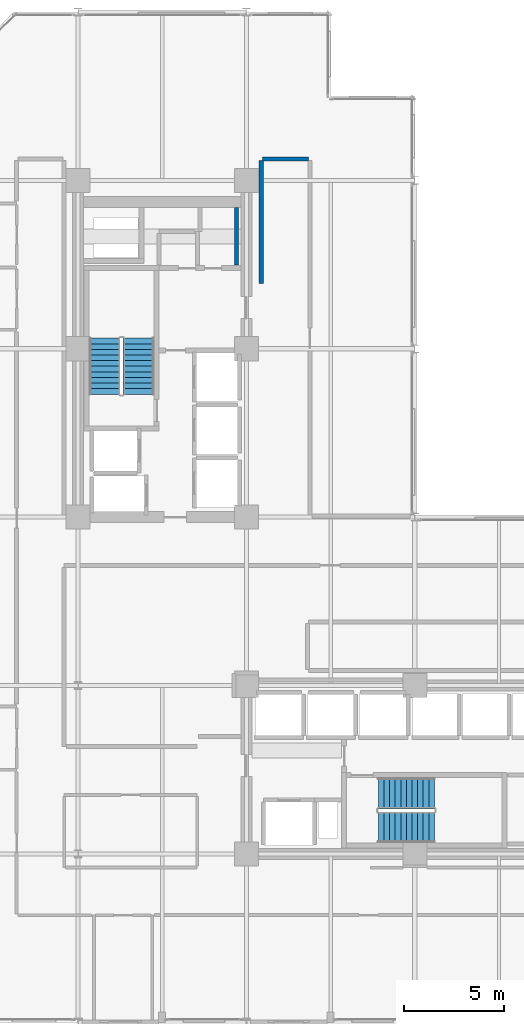
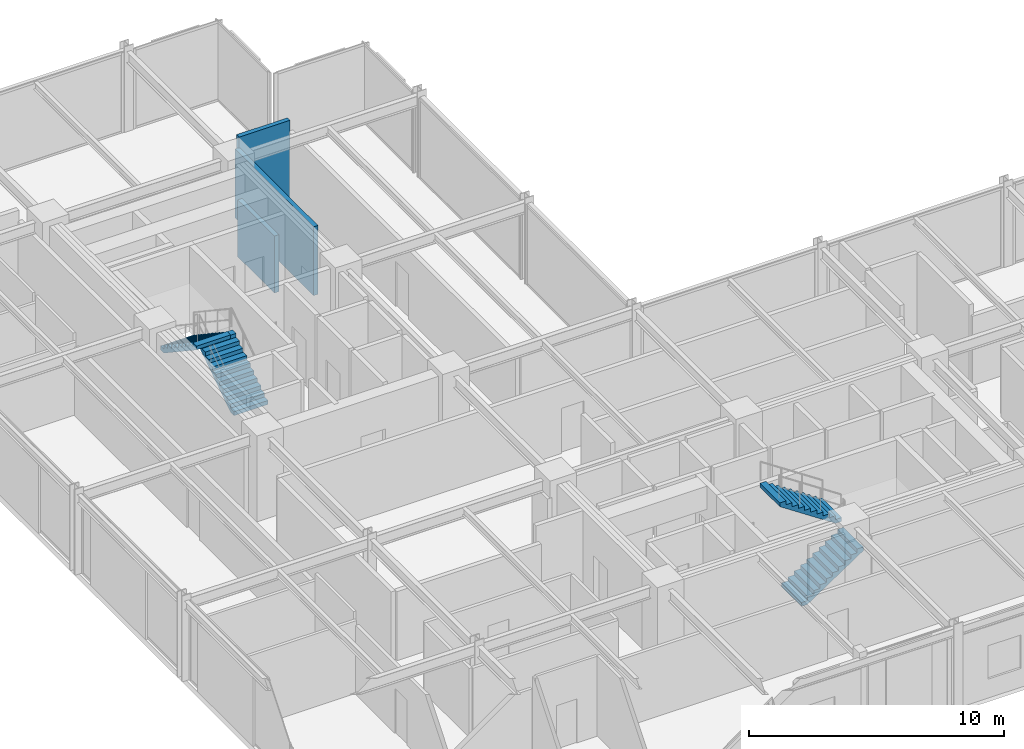
# One storey, part 35 of 38: 4 stair flights, 3 walls, 2 elements without a shape of their own.
"""IFC4 building model written with IfcOpenShell, lengths in metres."""

from ifc_helpers import new_model, si_unit, direction, frame, frame_2d, origin, place, context, subcontext, project, spatial, polyline, rectangle, outline, extrude, material, layer, layer_set, type_object, element, aggregate, save


model = new_model("IFC4")

# Units and contexts
model_context = context("Model", 3, precision=1e-05, world=origin(), true_north=direction((0.0, 1.0)))
body_context = subcontext(model_context, "Body", "Model", "MODEL_VIEW")
ifc_project = project(units=[si_unit("LENGTHUNIT", "METRE"), si_unit("AREAUNIT", "SQUARE_METRE"), si_unit("VOLUMEUNIT", "CUBIC_METRE"), si_unit("PLANEANGLEUNIT", "RADIAN"), si_unit("MASSUNIT", "GRAM", prefix="KILO")], contexts=[model_context])

# Site, building, storey
site_placement = place(None, origin())
site = spatial("IfcSite", under=ifc_project, at=site_placement, CompositionType="ELEMENT")
building_placement = place(site_placement, origin())
building = spatial("IfcBuilding", under=site, at=building_placement, Name="Nerrivon Quay Data Exchange", CompositionType="ELEMENT")
storey_placement = place(building_placement, frame((0.0, 0.0, 96.699951171875)))
storey = spatial("IfcBuildingStorey", under=building, at=storey_placement, Name="L22", CompositionType="ELEMENT", Elevation=96.699951171875)

# Walls
ifc_material_1 = material(Name="Gypsum plasterboard on cold-formed framing", Category="gypsum")
ifc_layer = layer(ifc_material_1, 0.199951171875)
ifc_layer_set = layer_set([ifc_layer], Name="Gypsum plasterboard on cold-formed framing")
wall_type = type_object("IfcWallType", Name="WALL-FW-200", PredefinedType="PARTITIONING", material=ifc_layer_set)
wall_1_placement = place(storey_placement, frame((16.300048828125, 37.780029296875, 0.0), z_axis=(0.0, 0.0, 1.0), x_axis=(0.0, 1.0, 0.0)))
element("IfcWall", 1, at=wall_1_placement, inside=storey, type_object=wall_type, Name="L22 Partition Cleaners Store", PredefinedType="PARTITIONING", context=body_context, shape_type="SweptSolid", body=[
    extrude(rectangle(XDim=2.865966796875, YDim=0.199951171875, at=frame_2d((1.43310546875, 0.0))), origin(), (0.0, 0.0, 1.0), 2.72509765625),
])
wall_2_placement = place(storey_placement, frame((17.5400390625, 36.860107421875, 0.0), z_axis=(0.0, 0.0, 1.0), x_axis=(0.0, 1.0, 0.0)))
element("IfcWall", 2, at=wall_2_placement, inside=storey, type_object=wall_type, Name="L22 Partition Colocation Data Workspace 7", PredefinedType="PARTITIONING", context=body_context, shape_type="SweptSolid", body=[
    extrude(rectangle(XDim=6.139892578125, YDim=0.199951171875, at=frame_2d((3.06982421875, 0.0))), origin(), (0.0, 0.0, 1.0), 3.2919921875),
])
wall_3_placement = place(storey_placement, frame((17.60009765625, 43.06005859375, 0.0), z_axis=(0.0, 0.0, 1.0), x_axis=(1.0, 0.0, 0.0)))
element("IfcWall", 3, at=wall_3_placement, inside=storey, type_object=wall_type, Name="L22 Partition Colocation Data Workspace 7", PredefinedType="PARTITIONING", context=body_context, shape_type="SweptSolid", body=[
    extrude(rectangle(XDim=2.2998046875, YDim=0.199951171875, at=frame_2d((1.14990234375, 0.0))), origin(), (0.0, 0.0, 1.0), 3.824951171875),
])

# Stair, stair flights
ifc_material_2 = material(Name="Concrete N50 (50 MPa)", Category="concrete")
stair_type = type_object("IfcStairType", Name="STAIR-DOG-41", PredefinedType="HALF_TURN_STAIR", material=ifc_material_2)
stair_1_placement = place(storey_placement, origin())
stair_1 = element("IfcStair", 4, at=stair_1_placement, inside=storey, type_object=stair_type, Name="L22 West Core Fire Stair ST01", PredefinedType="HALF_TURN_STAIR")
stair_flight_type = type_object("IfcStairFlightType", Name="FLIGHT-DOG-41", PredefinedType="STRAIGHT", material=ifc_material_2)
stair_flight_1_placement = place(storey_placement, frame((11.425048828125, 31.330078125, 0.0), z_axis=(0.0, 0.0, 1.0), x_axis=(0.0, 1.0, 0.0)))
stair_flight_1 = element("IfcStairFlight", 5, at=stair_flight_1_placement, type_object=stair_flight_type, Name="ST01 flight 1", NumberOfRisers=11, NumberOfTreads=10, PredefinedType="STRAIGHT", RiserHeight=0.186363636, TreadLength=0.28, context=body_context, shape_type="SweptSolid", body=[
    extrude(outline(polyline([(0.0, 0.0), (0.0, 0.186279296875), (0.280029296875, 0.186279296875), (0.280029296875, 0.372802734375), (0.56005859375, 0.372802734375), (0.56005859375, 0.55908203125), (0.840087890625, 0.55908203125), (0.840087890625, 0.745361328125), (1.1201171875, 0.745361328125), (1.1201171875, 0.931884765625), (1.39990234375, 0.931884765625), (1.39990234375, 1.1181640625), (1.679931640625, 1.1181640625), (1.679931640625, 1.304443359375), (1.9599609375, 1.304443359375), (1.9599609375, 1.490966796875), (2.239990234375, 1.490966796875), (2.239990234375, 1.67724609375), (2.52001953125, 1.67724609375), (2.52001953125, 1.863525390625), (2.800048828125, 1.863525390625), (2.800048828125, 2.050048828125), (2.800048828125, 1.68359375), (0.2705078125, 0.0), (0.0, 0.0)])), frame((0.0, 0.77490234375, 0.0), z_axis=(0.0, -1.0, 0.0), x_axis=(1.0, 0.0, 0.0)), (0.0, 0.0, 1.0), 1.550048828125),
])
stair_flight_2_placement = place(storey_placement, frame((9.72509765625, 34.1298828125, 2.050048828125), z_axis=(0.0, 0.0, 1.0), x_axis=(0.0, -1.0, 0.0)))
stair_flight_2 = element("IfcStairFlight", 6, at=stair_flight_2_placement, type_object=stair_flight_type, Name="ST01 flight 2", NumberOfRisers=11, NumberOfTreads=10, PredefinedType="STRAIGHT", RiserHeight=0.186363636, TreadLength=0.28, context=body_context, shape_type="SweptSolid", body=[
    extrude(outline(polyline([(0.0, 0.0), (0.0, 0.186279296875), (0.280029296875, 0.186279296875), (0.280029296875, 0.372802734375), (0.56005859375, 0.372802734375), (0.56005859375, 0.55908203125), (0.840087890625, 0.55908203125), (0.840087890625, 0.745361328125), (1.1201171875, 0.745361328125), (1.1201171875, 0.931884765625), (1.39990234375, 0.931884765625), (1.39990234375, 1.1181640625), (1.679931640625, 1.1181640625), (1.679931640625, 1.304443359375), (1.9599609375, 1.304443359375), (1.9599609375, 1.490966796875), (2.239990234375, 1.490966796875), (2.239990234375, 1.67724609375), (2.52001953125, 1.67724609375), (2.52001953125, 1.863525390625), (2.800048828125, 1.863525390625), (2.800048828125, 2.050048828125), (2.800048828125, 1.68359375), (0.2705078125, 0.0), (0.0, 0.0)])), frame((0.0, 0.77490234375, 0.0), z_axis=(0.0, -1.0, 0.0), x_axis=(1.0, 0.0, 0.0)), (0.0, 0.0, 1.0), 1.550048828125),
])
aggregate(stair_1, [stair_flight_1, stair_flight_2])

stair_2_placement = place(storey_placement, origin())
stair_2 = element("IfcStair", 7, at=stair_2_placement, inside=storey, type_object=stair_type, Name="L22 East Core Fire Stair ST02", PredefinedType="HALF_TURN_STAIR")
stair_flight_3_placement = place(storey_placement, frame((23.3798828125, 9.72509765625, 0.0), z_axis=(0.0, 0.0, 1.0), x_axis=(1.0, 0.0, 0.0)))
stair_flight_3 = element("IfcStairFlight", 8, at=stair_flight_3_placement, type_object=stair_flight_type, Name="ST02 flight 1", NumberOfRisers=11, NumberOfTreads=10, PredefinedType="STRAIGHT", RiserHeight=0.186363636, TreadLength=0.28, context=body_context, shape_type="SweptSolid", body=[
    extrude(outline(polyline([(0.0, 0.0), (0.0, 0.186279296875), (0.280029296875, 0.186279296875), (0.280029296875, 0.372802734375), (0.56005859375, 0.372802734375), (0.56005859375, 0.55908203125), (0.840087890625, 0.55908203125), (0.840087890625, 0.745361328125), (1.1201171875, 0.745361328125), (1.1201171875, 0.931884765625), (1.39990234375, 0.931884765625), (1.39990234375, 1.1181640625), (1.679931640625, 1.1181640625), (1.679931640625, 1.304443359375), (1.9599609375, 1.304443359375), (1.9599609375, 1.490966796875), (2.239990234375, 1.490966796875), (2.239990234375, 1.67724609375), (2.52001953125, 1.67724609375), (2.52001953125, 1.863525390625), (2.800048828125, 1.863525390625), (2.800048828125, 2.050048828125), (2.800048828125, 1.68359375), (0.2705078125, 0.0), (0.0, 0.0)])), frame((0.0, 0.77490234375, 0.0), z_axis=(0.0, -1.0, 0.0), x_axis=(1.0, 0.0, 0.0)), (0.0, 0.0, 1.0), 1.550048828125),
])
stair_flight_4_placement = place(storey_placement, frame((26.179931640625, 11.425048828125, 2.050048828125), z_axis=(0.0, 0.0, 1.0), x_axis=(-1.0, 0.0, 0.0)))
stair_flight_4 = element("IfcStairFlight", 9, at=stair_flight_4_placement, type_object=stair_flight_type, Name="ST02 flight 2", NumberOfRisers=11, NumberOfTreads=10, PredefinedType="STRAIGHT", RiserHeight=0.186363636, TreadLength=0.28, context=body_context, shape_type="SweptSolid", body=[
    extrude(outline(polyline([(0.0, 0.0), (0.0, 0.186279296875), (0.280029296875, 0.186279296875), (0.280029296875, 0.372802734375), (0.56005859375, 0.372802734375), (0.56005859375, 0.55908203125), (0.840087890625, 0.55908203125), (0.840087890625, 0.745361328125), (1.1201171875, 0.745361328125), (1.1201171875, 0.931884765625), (1.39990234375, 0.931884765625), (1.39990234375, 1.1181640625), (1.679931640625, 1.1181640625), (1.679931640625, 1.304443359375), (1.9599609375, 1.304443359375), (1.9599609375, 1.490966796875), (2.239990234375, 1.490966796875), (2.239990234375, 1.67724609375), (2.52001953125, 1.67724609375), (2.52001953125, 1.863525390625), (2.800048828125, 1.863525390625), (2.800048828125, 2.050048828125), (2.800048828125, 1.68359375), (0.2705078125, 0.0), (0.0, 0.0)])), frame((0.0, 0.77490234375, 0.0), z_axis=(0.0, -1.0, 0.0), x_axis=(1.0, 0.0, 0.0)), (0.0, 0.0, 1.0), 1.550048828125),
])
aggregate(stair_2, [stair_flight_3, stair_flight_4])

save(model, "model.ifc")
